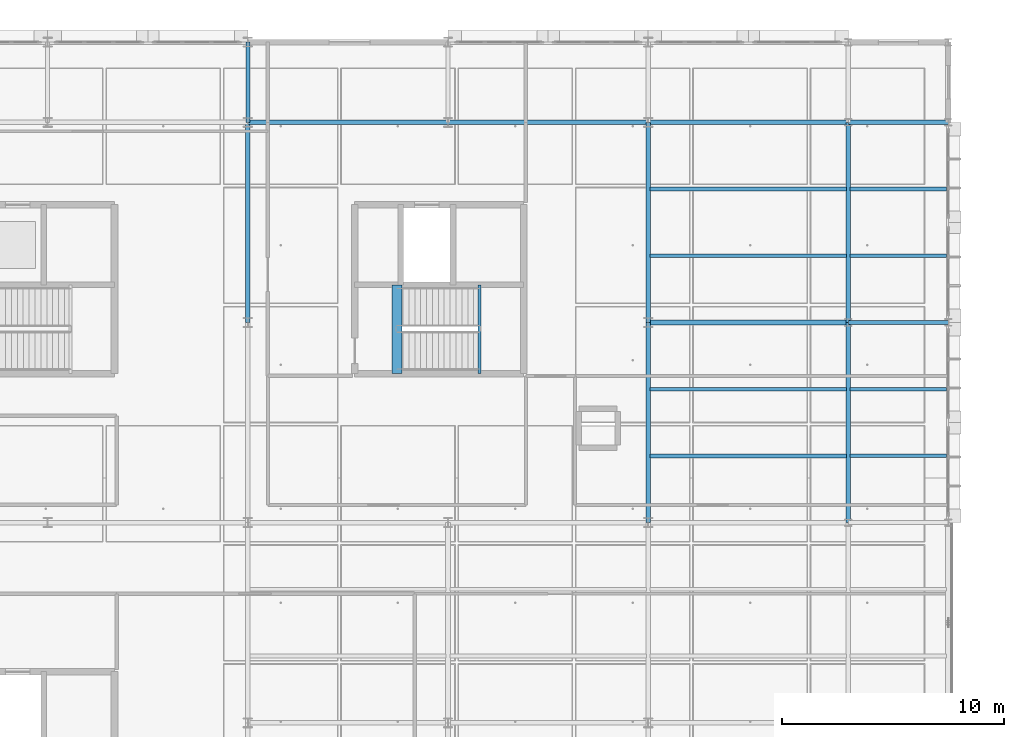
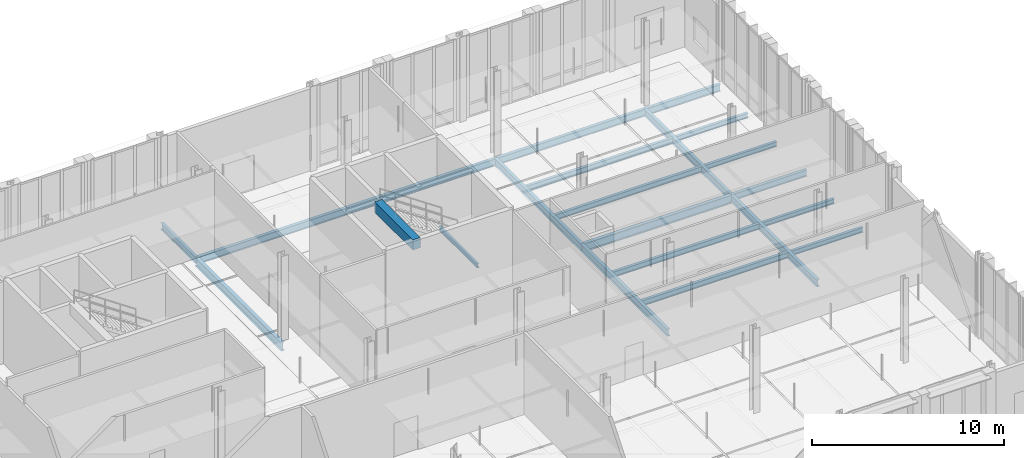
# One storey, part 67 of 180: 22 beams.
"""IFC4 building model written with IfcOpenShell, lengths in metres."""

from ifc_helpers import new_model, si_unit, direction, frame, origin, origin_2d, place, context, subcontext, project, spatial, rectangle, i_section, extrude, material, material_profile, profile_set, type_object, element, save


model = new_model("IFC4")

# Units and contexts
model_context = context("Model", 3, precision=1e-05, world=origin(), true_north=direction((0.0, 1.0)))
body_context = subcontext(model_context, "Body", "Model", "MODEL_VIEW")
ifc_project = project(units=[si_unit("LENGTHUNIT", "METRE"), si_unit("AREAUNIT", "SQUARE_METRE"), si_unit("VOLUMEUNIT", "CUBIC_METRE"), si_unit("PLANEANGLEUNIT", "RADIAN"), si_unit("MASSUNIT", "GRAM", prefix="KILO"), si_unit("THERMODYNAMICTEMPERATUREUNIT", "KELVIN"), si_unit("POWERUNIT", "WATT")], contexts=[model_context])

# Site, building, storey
site_placement = place(None, origin())
site = spatial("IfcSite", under=ifc_project, at=site_placement, CompositionType="ELEMENT")
building_placement = place(site_placement, origin())
building = spatial("IfcBuilding", under=site, at=building_placement, Name="Tallowbark Science Centre", CompositionType="ELEMENT")
storey_placement = place(building_placement, origin())
storey = spatial("IfcBuildingStorey", under=building, at=storey_placement, Name="L00", CompositionType="ELEMENT", Elevation=0.0)

# Beams
ifc_material_1 = material(Name="Concrete Grade N40 (40 MPa)", Category="concrete")
ifc_material_profile_1 = material_profile(ifc_material_1, rectangle(XDim=0.449951171875, YDim=0.64990234375, at=origin_2d()), Name="RC450x650")
ifc_profile_set_1 = profile_set([ifc_material_profile_1], Name="Concrete Grade N40 (40 MPa)")
beam_type_1 = type_object("IfcBeamType", Name="BM-GB2-N40", PredefinedType="BEAM", material=ifc_profile_set_1)
beam_1_placement = place(storey_placement, frame((137.2099609375, 96.699951171875, 5.074951171875), z_axis=(0.0, 1.0, 0.0), x_axis=(-1.0, 0.0, 0.0)))
element("IfcBeam", 1, at=beam_1_placement, inside=storey, type_object=beam_type_1, Name="Stair ST-04 Landing Nosing Beam L00", PredefinedType="BEAM", context=body_context, shape_type="SweptSolid", body=[
    extrude(rectangle(XDim=0.449951171875, YDim=0.64990234375, at=origin_2d()), origin(), (0.0, 0.0, 1.0), 3.9951171875),
])
ifc_material_2 = material(Name="Structural Steel Grade 300PLUS (300 MPa)", Category="steel")
ifc_material_profile_2 = material_profile(ifc_material_2, i_section(OverallWidth=0.177734375, OverallDepth=0.406494140625, WebThickness=0.0078125, FlangeThickness=0.0126953125, FilletRadius=0.011474609375, at=origin_2d()), Name="410UB59.7")
ifc_profile_set_2 = profile_set([ifc_material_profile_2], Name="Structural Steel Grade 300PLUS (300 MPa)")
beam_type_2 = type_object("IfcBeamType", Name="BM-UB410", PredefinedType="BEAM", material=ifc_profile_set_2)
beam_2_placement = place(storey_placement, frame((157.5, 99.0, -0.443115234375), z_axis=(1.0, 0.0, 0.0), x_axis=(0.0, 1.0, 0.0)))
element("IfcBeam", 2, at=beam_2_placement, inside=storey, type_object=beam_type_2, Name="Primary Girder GRDX-L00-1575-1620-990", PredefinedType="BEAM", context=body_context, shape_type="SweptSolid", body=[
    extrude(i_section(OverallWidth=0.177734375, OverallDepth=0.406494140625, WebThickness=0.0078125, FlangeThickness=0.0126953125, FilletRadius=0.011474609375, at=origin_2d()), origin(), (0.0, 0.0, 1.0), 4.5),
])
beam_3_placement = place(storey_placement, frame((130.5, 108.0, -0.443115234375), z_axis=(0.0, 1.0, 0.0), x_axis=(-1.0, 0.0, 0.0)))
element("IfcBeam", 3, at=beam_3_placement, inside=storey, type_object=beam_type_2, Name="Primary Girder GRDY-L00-1305-1080-1116", PredefinedType="BEAM", context=body_context, shape_type="SweptSolid", body=[
    extrude(i_section(OverallWidth=0.177734375, OverallDepth=0.406494140625, WebThickness=0.0078125, FlangeThickness=0.0126953125, FilletRadius=0.011474609375, at=origin_2d()), origin(), (0.0, 0.0, 1.0), 3.60009765625),
])
ifc_material_profile_3 = material_profile(ifc_material_2, i_section(OverallWidth=0.208984375, OverallDepth=0.532958984375, WebThickness=0.01025390625, FlangeThickness=0.015625, FilletRadius=0.013916015625, at=origin_2d()), Name="530UB92.4")
ifc_profile_set_3 = profile_set([ifc_material_profile_3], Name="Structural Steel Grade 300PLUS (300 MPa)")
beam_type_3 = type_object("IfcBeamType", Name="BM-UB530A", PredefinedType="BEAM", material=ifc_profile_set_3)
beam_4_placement = place(storey_placement, frame((148.5, 99.0, -0.506591796875), z_axis=(1.0, 0.0, 0.0), x_axis=(0.0, 1.0, 0.0)))
element("IfcBeam", 4, at=beam_4_placement, inside=storey, type_object=beam_type_3, Name="Primary Girder GRDX-L00-1485-1575-990", PredefinedType="BEAM", context=body_context, shape_type="SweptSolid", body=[
    extrude(i_section(OverallWidth=0.208984375, OverallDepth=0.532958984375, WebThickness=0.01025390625, FlangeThickness=0.015625, FilletRadius=0.013916015625, at=origin_2d()), origin(), (0.0, 0.0, 1.0), 9.0),
])
ifc_material_profile_4 = material_profile(ifc_material_2, i_section(OverallWidth=0.208740234375, OverallDepth=0.5283203125, WebThickness=0.009521484375, FlangeThickness=0.01318359375, FilletRadius=0.013916015625, at=origin_2d()), Name="530UB82.0")
ifc_profile_set_4 = profile_set([ifc_material_profile_4], Name="Structural Steel Grade 300PLUS (300 MPa)")
beam_type_4 = type_object("IfcBeamType", Name="BM-UB530B", PredefinedType="BEAM", material=ifc_profile_set_4)
beam_5_placement = place(storey_placement, frame((130.5, 99.0, -0.504150390625), z_axis=(0.0, 1.0, 0.0), x_axis=(-1.0, 0.0, 0.0)))
element("IfcBeam", 5, at=beam_5_placement, inside=storey, type_object=beam_type_4, Name="Primary Girder GRDY-L00-1305-990-1080", PredefinedType="BEAM", context=body_context, shape_type="SweptSolid", body=[
    extrude(i_section(OverallWidth=0.208740234375, OverallDepth=0.5283203125, WebThickness=0.009521484375, FlangeThickness=0.01318359375, FilletRadius=0.013916015625, at=origin_2d()), origin(), (0.0, 0.0, 1.0), 9.0),
])
ifc_material_profile_5 = material_profile(ifc_material_2, i_section(OverallWidth=0.146484375, OverallDepth=0.256103515625, WebThickness=0.00634765625, FlangeThickness=0.010986328125, FilletRadius=0.0087890625, at=origin_2d()), Name="250UB37.3")
ifc_profile_set_5 = profile_set([ifc_material_profile_5], Name="Structural Steel Grade 300PLUS (300 MPa)")
beam_type_5 = type_object("IfcBeamType", Name="JST-UB250", PredefinedType="JOIST", material=ifc_profile_set_5)
beam_6_placement = place(storey_placement, frame((140.919921875, 96.699951171875, 2.371826171875), z_axis=(0.0, 1.0, 0.0), x_axis=(-1.0, 0.0, 0.0)))
element("IfcBeam", 6, at=beam_6_placement, inside=storey, type_object=beam_type_5, Name="Stair ST-04 Half-Landing Trimmer L00", PredefinedType="JOIST", context=body_context, shape_type="SweptSolid", body=[
    extrude(i_section(OverallWidth=0.146484375, OverallDepth=0.256103515625, WebThickness=0.00634765625, FlangeThickness=0.010986328125, FilletRadius=0.0087890625, at=origin_2d()), origin(), (0.0, 0.0, 1.0), 3.9951171875),
])
ifc_material_profile_6 = material_profile(ifc_material_2, i_section(OverallWidth=0.166015625, OverallDepth=0.30712890625, WebThickness=0.006591796875, FlangeThickness=0.01171875, FilletRadius=0.011474609375, at=origin_2d()), Name="310UB46.2")
ifc_profile_set_6 = profile_set([ifc_material_profile_6], Name="Structural Steel Grade 300PLUS (300 MPa)")
beam_type_6 = type_object("IfcBeamType", Name="JST-UB310", PredefinedType="JOIST", material=ifc_profile_set_6)
for number, where, z_axis, x_axis, name in (
    (7, (157.5849609375, 93.0, -0.3935546875), (1.0, 0.0, 0.0), (0.0, 1.0, 0.0), "Composite Floor Joist JSTX-L00-1575-930"),
    (8, (157.5849609375, 96.0, -0.3935546875), (1.0, 0.0, 0.0), (0.0, 1.0, 0.0), "Composite Floor Joist JSTX-L00-1575-960"),
    (9, (157.5849609375, 102.0, -0.3935546875), (1.0, 0.0, 0.0), (0.0, 1.0, 0.0), "Composite Floor Joist JSTX-L00-1575-1020"),
    (10, (157.5849609375, 105.0, -0.3935546875), (1.0, 0.0, 0.0), (0.0, 1.0, 0.0), "Composite Floor Joist JSTX-L00-1575-1050"),
):
    element("IfcBeam", number, at=place(storey_placement, frame(where, z_axis=z_axis, x_axis=x_axis)), inside=storey, type_object=beam_type_6, Name=name, PredefinedType="JOIST", context=body_context, shape_type="SweptSolid", body=[
        extrude(i_section(OverallWidth=0.166015625, OverallDepth=0.30712890625, WebThickness=0.006591796875, FlangeThickness=0.01171875, FilletRadius=0.011474609375, at=origin_2d()), origin(), (0.0, 0.0, 1.0), 4.330078125),
    ])
ifc_material_profile_7 = material_profile(ifc_material_2, i_section(OverallWidth=0.172119140625, OverallDepth=0.358642578125, WebThickness=0.008056640625, FlangeThickness=0.012939453125, FilletRadius=0.011474609375, at=origin_2d()), Name="360UB56.7")
ifc_profile_set_7 = profile_set([ifc_material_profile_7], Name="Structural Steel Grade 300PLUS (300 MPa)")
beam_type_7 = type_object("IfcBeamType", Name="JST-UB360", PredefinedType="JOIST", material=ifc_profile_set_7)
for number, where, z_axis, x_axis, name in (
    (11, (148.5849609375, 93.0, -0.419189453125), (1.0, 0.0, 0.0), (0.0, 1.0, 0.0), "Composite Floor Joist JSTX-L00-1485-930"),
    (12, (148.5849609375, 96.0, -0.419189453125), (1.0, 0.0, 0.0), (0.0, 1.0, 0.0), "Composite Floor Joist JSTX-L00-1485-960"),
    (13, (148.5849609375, 102.0, -0.419189453125), (1.0, 0.0, 0.0), (0.0, 1.0, 0.0), "Composite Floor Joist JSTX-L00-1485-1020"),
    (14, (148.5849609375, 105.0, -0.419189453125), (1.0, 0.0, 0.0), (0.0, 1.0, 0.0), "Composite Floor Joist JSTX-L00-1485-1050"),
):
    element("IfcBeam", number, at=place(storey_placement, frame(where, z_axis=z_axis, x_axis=x_axis)), inside=storey, type_object=beam_type_7, Name=name, PredefinedType="JOIST", context=body_context, shape_type="SweptSolid", body=[
        extrude(i_section(OverallWidth=0.172119140625, OverallDepth=0.358642578125, WebThickness=0.008056640625, FlangeThickness=0.012939453125, FilletRadius=0.011474609375, at=origin_2d()), origin(), (0.0, 0.0, 1.0), 8.830078125),
    ])
ifc_material_profile_8 = material_profile(ifc_material_2, i_section(OverallWidth=0.18994140625, OverallDepth=0.453857421875, WebThickness=0.008544921875, FlangeThickness=0.0126953125, FilletRadius=0.011474609375, at=origin_2d()), Name="460UB67.1")
ifc_profile_set_8 = profile_set([ifc_material_profile_8], Name="Structural Steel Grade 300PLUS (300 MPa)")
beam_type_8 = type_object("IfcBeamType", Name="SPN-UB460", PredefinedType="SPANDREL", material=ifc_profile_set_8)
for number, where, z_axis, x_axis, name in (
    (15, (130.5, 108.0, -0.466796875), (1.0, 0.0, 0.0), (0.0, 1.0, 0.0), "Primary Girder GRDX-L00-1305-1395-1080"),
    (16, (139.5, 108.0, -0.466796875), (1.0, 0.0, 0.0), (0.0, 1.0, 0.0), "Primary Girder GRDX-L00-1395-1485-1080"),
    (17, (148.5, 108.0, -0.466796875), (1.0, 0.0, 0.0), (0.0, 1.0, 0.0), "Primary Girder GRDX-L00-1485-1575-1080"),
):
    element("IfcBeam", number, at=place(storey_placement, frame(where, z_axis=z_axis, x_axis=x_axis)), inside=storey, type_object=beam_type_8, Name=name, PredefinedType="SPANDREL", context=body_context, shape_type="SweptSolid", body=[
        extrude(i_section(OverallWidth=0.18994140625, OverallDepth=0.453857421875, WebThickness=0.008544921875, FlangeThickness=0.0126953125, FilletRadius=0.011474609375, at=origin_2d()), origin(), (0.0, 0.0, 1.0), 9.0),
    ])
beam_7_placement = place(storey_placement, frame((157.5, 108.0, -0.466796875), z_axis=(1.0, 0.0, 0.0), x_axis=(0.0, 1.0, 0.0)))
element("IfcBeam", 18, at=beam_7_placement, inside=storey, type_object=beam_type_8, Name="Primary Girder GRDX-L00-1575-1620-1080", PredefinedType="SPANDREL", context=body_context, shape_type="SweptSolid", body=[
    extrude(i_section(OverallWidth=0.18994140625, OverallDepth=0.453857421875, WebThickness=0.008544921875, FlangeThickness=0.0126953125, FilletRadius=0.011474609375, at=origin_2d()), origin(), (0.0, 0.0, 1.0), 4.5),
])
for number, where, z_axis, x_axis, name in (
    (19, (148.5, 90.0, -0.466796875), (0.0, 1.0, 0.0), (-1.0, 0.0, 0.0), "Primary Girder GRDY-L00-1485-900-990"),
    (20, (148.5, 99.0, -0.466796875), (0.0, 1.0, 0.0), (-1.0, 0.0, 0.0), "Primary Girder GRDY-L00-1485-990-1080"),
    (21, (157.5, 90.0, -0.466796875), (0.0, 1.0, 0.0), (-1.0, 0.0, 0.0), "Primary Girder GRDY-L00-1575-900-990"),
    (22, (157.5, 99.0, -0.466796875), (0.0, 1.0, 0.0), (-1.0, 0.0, 0.0), "Primary Girder GRDY-L00-1575-990-1080"),
):
    element("IfcBeam", number, at=place(storey_placement, frame(where, z_axis=z_axis, x_axis=x_axis)), inside=storey, type_object=beam_type_8, Name=name, PredefinedType="SPANDREL", context=body_context, shape_type="SweptSolid", body=[
        extrude(i_section(OverallWidth=0.18994140625, OverallDepth=0.453857421875, WebThickness=0.008544921875, FlangeThickness=0.0126953125, FilletRadius=0.011474609375, at=origin_2d()), origin(), (0.0, 0.0, 1.0), 9.0),
    ])

save(model, "model.ifc")
